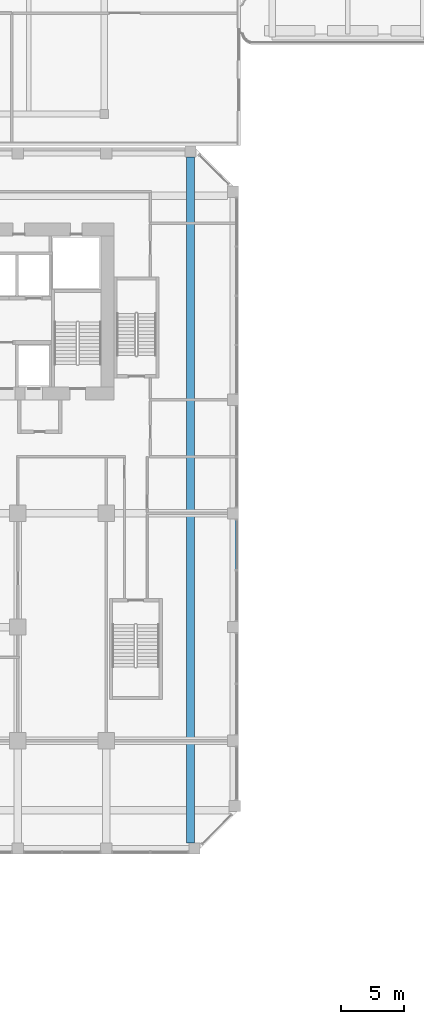
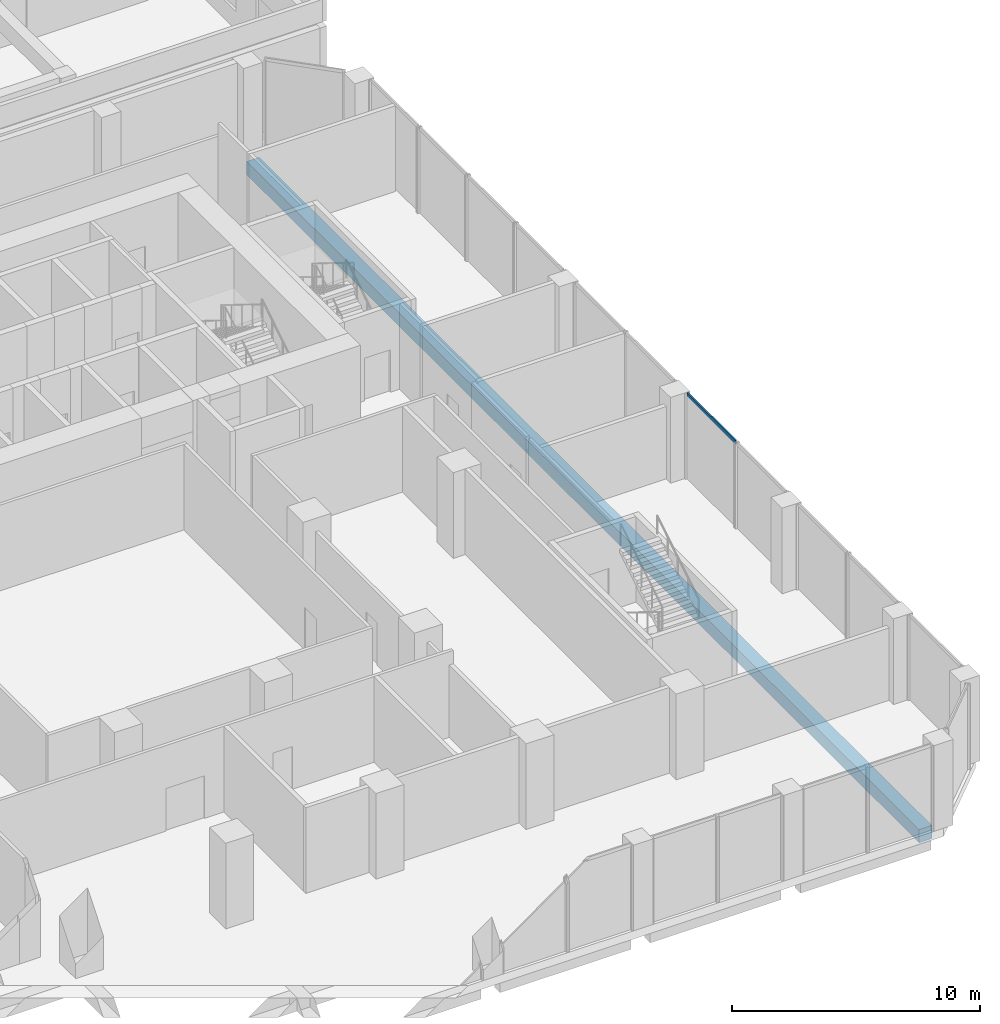
# One storey, part 6 of 35: 1 beam, 1 member, 1 element without a shape of its own.
"""IFC4 building model written with IfcOpenShell, lengths in metres."""

import ifcopenshell
import ifcopenshell.guid

model = None  # the IFC model being written
_history = None  # IfcOwnerHistory: only IFC2X3 demands one
_inside = {}  # id of a spatial element -> (the spatial element, [elements in it])
_under = {}  # id of a project, library or spatial element -> (it, [spatial elements below it])
_declared = {}  # id of a project -> (the project, [libraries it declares])
_typed = {}  # id of a type object -> (the type object, [elements of that type])
_made_of = {}  # id of a material, layer set ... -> (it, [elements and type objects made of it])


def new_model(schema):
    """Start an empty IFC model of exactly this schema.

    Asked for "IFC4X3", IfcOpenShell would pick the latest addendum, in which some entities
    have other attributes; the version numbers below select the first issue.
    IFC2X3 requires an IfcOwnerHistory on every rooted entity: one is made here for all.
    """
    global model, _history
    if schema == "IFC4X3":
        model = ifcopenshell.file(schema_version=(4, 3, 0, 0))
    else:
        model = ifcopenshell.file(schema=schema)
    _inside.clear()
    _under.clear()
    _declared.clear()
    _typed.clear()
    _made_of.clear()
    _history = None
    if model.schema == "IFC2X3":
        org = make("IfcOrganization", Name="unknown")
        user = make(
            "IfcPersonAndOrganization",
            ThePerson=make("IfcPerson", FamilyName="unknown"),
            TheOrganization=org,
        )
        app = make(
            "IfcApplication",
            ApplicationDeveloper=org,
            Version="unknown",
            ApplicationFullName="unknown",
            ApplicationIdentifier="unknown",
        )
        _history = make(
            "IfcOwnerHistory",
            OwningUser=user,
            OwningApplication=app,
            ChangeAction="ADDED",
            CreationDate=0,
        )
    return model


def make(cls, **values):
    """One entity of the class cls with the attributes given. An attribute that is None is left unset."""
    return model.create_entity(
        cls, **{name: value for name, value in values.items() if value is not None}
    )


def rooted(cls, **values):
    """An entity with a GlobalId (a new one), such as an element, a storey or a relation."""
    return make(cls, GlobalId=ifcopenshell.guid.new(), OwnerHistory=_history, **values)


def si_unit(unit_type, name, prefix=None):
    """IfcSIUnit, for example si_unit("LENGTHUNIT", "METRE", prefix="MILLI")."""
    return make("IfcSIUnit", UnitType=unit_type, Prefix=prefix, Name=name)


def assignment(units):
    """IfcUnitAssignment: the units of a project."""
    return None if units is None else make("IfcUnitAssignment", Units=units)


def point(xyz):
    """IfcCartesianPoint."""
    return None if xyz is None else make("IfcCartesianPoint", Coordinates=xyz)


def direction(xyz):
    """IfcDirection."""
    return None if xyz is None else make("IfcDirection", DirectionRatios=xyz)


def frame(location, z_axis=None, x_axis=None):
    """IfcAxis2Placement3D, a coordinate frame: its origin and axes. An axis left out is left unset."""
    return make(
        "IfcAxis2Placement3D",
        Location=point(location),
        Axis=direction(z_axis),
        RefDirection=direction(x_axis),
    )


def frame_2d(location, x_axis=None):
    """IfcAxis2Placement2D, a coordinate frame in the plane: its origin and x axis."""
    return make(
        "IfcAxis2Placement2D", Location=point(location), RefDirection=direction(x_axis)
    )


def origin():
    """The frame at (0, 0, 0) with its axes left unset."""
    return frame((0.0, 0.0, 0.0))


def origin_2d():
    """The frame at (0, 0) in the plane with its x axis left unset."""
    return frame_2d((0.0, 0.0))


def place(relative_to, where):
    """IfcLocalPlacement: puts the frame where relative to a parent placement (None: the world)."""
    return make(
        "IfcLocalPlacement", PlacementRelTo=relative_to, RelativePlacement=where
    )


def context(
    kind, dimensions, precision=None, world=None, true_north=None, identifier=None
):
    """IfcGeometricRepresentationContext, for example the 3D "Model" context."""
    return make(
        "IfcGeometricRepresentationContext",
        ContextIdentifier=identifier,
        ContextType=kind,
        CoordinateSpaceDimension=dimensions,
        Precision=precision,
        WorldCoordinateSystem=world,
        TrueNorth=true_north,
    )


def subcontext(parent, identifier, kind, view, scale=None):
    """IfcGeometricRepresentationSubContext, for example "Body" below "Model"."""
    return make(
        "IfcGeometricRepresentationSubContext",
        ContextIdentifier=identifier,
        ContextType=kind,
        ParentContext=parent,
        TargetScale=scale,
        TargetView=view,
    )


def project(units=None, contexts=None):
    """IfcProject with its units and contexts."""
    return rooted(
        "IfcProject",
        Name="project",
        RepresentationContexts=contexts,
        UnitsInContext=assignment(units),
    )


def spatial(cls, under=None, at=None, **own):
    """A site, building, storey or space (cls), placed at a placement, below another one or the project."""
    s = rooted(cls, ObjectPlacement=at, **own)
    if under is not None:
        _under.setdefault(under.id(), (under, []))[1].append(s)
    return s


def profile(cls, at=None, kind="AREA", **sizes):
    """A parametric profile (cls). Its sizes go by their IFC names, for example OverallWidth=200.0."""
    return make(cls, ProfileType=kind, Position=at, **sizes)


def rectangle(**sizes):
    """IfcRectangleProfileDef."""
    return profile("IfcRectangleProfileDef", **sizes)


def extrude(swept, where, along, depth):
    """IfcExtrudedAreaSolid: the profile swept, set in the frame where, extruded along a direction by depth."""
    return make(
        "IfcExtrudedAreaSolid",
        SweptArea=swept,
        Position=where,
        ExtrudedDirection=direction(along),
        Depth=depth,
    )


def shape(context_of_items, identifier, shape_type, items):
    """IfcShapeRepresentation: the items that make up one representation, for example the "Body"."""
    return make(
        "IfcShapeRepresentation",
        ContextOfItems=context_of_items,
        RepresentationIdentifier=identifier,
        RepresentationType=shape_type,
        Items=items,
    )


def source(mapping_origin, context_of_items, identifier, shape_type, items):
    """IfcRepresentationMap: a shape defined once, which mapped items show again and again."""
    return make(
        "IfcRepresentationMap",
        MappingOrigin=mapping_origin,
        MappedRepresentation=shape(context_of_items, identifier, shape_type, items),
    )


def transform(
    local_origin,
    x_axis=None,
    y_axis=None,
    z_axis=None,
    scale=None,
    scale2=None,
    scale3=None,
    uniform=True,
):
    """IfcCartesianTransformationOperator3D, or its non-uniform kind. x_axis, y_axis, z_axis: its Axis1, 2, 3."""
    if uniform:
        return make(
            "IfcCartesianTransformationOperator3D",
            Axis1=direction(x_axis),
            Axis2=direction(y_axis),
            LocalOrigin=point(local_origin),
            Scale=scale,
            Axis3=direction(z_axis),
        )
    return make(
        "IfcCartesianTransformationOperator3DnonUniform",
        Axis1=direction(x_axis),
        Axis2=direction(y_axis),
        LocalOrigin=point(local_origin),
        Scale=scale,
        Axis3=direction(z_axis),
        Scale2=scale2,
        Scale3=scale3,
    )


def mapped(mapping_source, mapping_target):
    """IfcMappedItem: shows the shape of a source again, moved by a transform."""
    return make(
        "IfcMappedItem", MappingSource=mapping_source, MappingTarget=mapping_target
    )


def material(Name=None, Category=None):
    """IfcMaterial."""
    return make("IfcMaterial", Name=Name, Category=Category)


def material_profile(
    of_material, cross_section, Name=None, Category=None, Priority=None
):
    """IfcMaterialProfile: a cross section and its material."""
    return make(
        "IfcMaterialProfile",
        Name=Name,
        Material=of_material,
        Profile=cross_section,
        Priority=Priority,
        Category=Category,
    )


def profile_set(profiles, Name=None, composite=None):
    """IfcMaterialProfileSet."""
    return make(
        "IfcMaterialProfileSet",
        Name=Name,
        MaterialProfiles=profiles,
        CompositeProfile=composite,
    )


def made_of(thing, what):
    """Note that an element or type object is made of a material, layer set ...; save() writes the relation."""
    if what is not None:
        _made_of.setdefault(what.id(), (what, []))[1].append(thing)
    return thing


def type_object(cls, material=None, **own):
    """A type object (cls), such as IfcWallType, which elements share."""
    return made_of(rooted(cls, **own), material)


def element(
    cls,
    number,
    at=None,
    inside=None,
    cuts=None,
    type_object=None,
    material=None,
    context=None,
    identifier="Body",
    shape_type=None,
    held_by="IfcProductDefinitionShape",
    body=None,
    shapes=None,
    **own,
):
    """One element of the class cls, such as IfcWall. Its Tag is "e" and its number.

    at: its placement. inside: the storey or other place that contains it. cuts: it is an
    opening in that element (IfcRelVoidsElement). A single representation is given by context,
    identifier, shape_type and body (its items); several are given by shapes. held_by: the class
    of the entity that holds the representations. save() writes the other relations.
    """
    e = rooted(cls, Tag="e%d" % number, ObjectPlacement=at, **own)
    if body is not None:
        shapes = [shape(context, identifier, shape_type, body)]
    if shapes is not None:
        e.Representation = make(held_by, Representations=shapes)
    if inside is not None:
        _inside.setdefault(inside.id(), (inside, []))[1].append(e)
    if cuts is not None:
        rooted(
            "IfcRelVoidsElement", RelatingBuildingElement=cuts, RelatedOpeningElement=e
        )
    if type_object is not None:
        _typed.setdefault(type_object.id(), (type_object, []))[1].append(e)
    return made_of(e, material)


def aggregate(whole, parts):
    """IfcRelAggregates: a whole, such as a stair, and the parts it consists of."""
    return rooted("IfcRelAggregates", RelatingObject=whole, RelatedObjects=parts)


def save(model, path):
    """Write the relations noted so far, then the file.

    IfcRelAggregates (storeys below a building ...), IfcRelContainedInSpatialStructure (elements
    in a storey), IfcRelDefinesByType, IfcRelAssociatesMaterial and IfcRelDeclares: one each for
    every whole, place, type object, material and project.
    """
    for whole, parts in _under.values():
        aggregate(whole, parts)
    for where, things in _inside.values():
        rooted(
            "IfcRelContainedInSpatialStructure",
            RelatedElements=things,
            RelatingStructure=where,
        )
    for kind, things in _typed.values():
        rooted("IfcRelDefinesByType", RelatedObjects=things, RelatingType=kind)
    for what, things in _made_of.values():
        rooted("IfcRelAssociatesMaterial", RelatedObjects=things, RelatingMaterial=what)
    for by, libraries in _declared.values():
        rooted("IfcRelDeclares", RelatingContext=by, RelatedDefinitions=libraries)
    model.write(path)


model = new_model("IFC4")

# Units and contexts
model_context = context("Model", 3, precision=1e-05, world=origin(), true_north=direction((0.0, 1.0)))
body_context = subcontext(model_context, "Body", "Model", "MODEL_VIEW")
ifc_project = project(units=[si_unit("LENGTHUNIT", "METRE"), si_unit("AREAUNIT", "SQUARE_METRE"), si_unit("VOLUMEUNIT", "CUBIC_METRE"), si_unit("PLANEANGLEUNIT", "RADIAN"), si_unit("MASSUNIT", "GRAM", prefix="KILO")], contexts=[model_context])

# Site, building, storey
site_placement = place(None, origin())
site = spatial("IfcSite", under=ifc_project, at=site_placement, CompositionType="ELEMENT")
building_placement = place(site_placement, origin())
building = spatial("IfcBuilding", under=site, at=building_placement, Name="Kilnfold Tower and Market Hall", CompositionType="ELEMENT")
storey_placement = place(building_placement, frame((0.0, 0.0, 22.5)))
storey = spatial("IfcBuildingStorey", under=building, at=storey_placement, Name="L04", CompositionType="ELEMENT", Elevation=22.5)

# Beam
ifc_material_1 = material(Name="Concrete C45", Category="concrete")
ifc_material_profile_1 = material_profile(ifc_material_1, rectangle(XDim=0.60009765625, YDim=0.64990234375, at=origin_2d()), Name="RC 600x650")
ifc_profile_set_1 = profile_set([ifc_material_profile_1], Name="Concrete C45")
beam_type = type_object("IfcBeamType", Name="BEAM 600X650 C45", PredefinedType="BEAM", material=ifc_profile_set_1)
shared_shape_1 = source(origin(), body_context, "Body", "SweptSolid", [
    extrude(rectangle(XDim=0.60009765625, YDim=0.64990234375, at=origin_2d()), origin(), (0.0, 0.0, 1.0), 54.331787109375),
])
beam_placement = place(storey_placement, frame((24.179931640625, -27.10009765625, -0.72509765625), z_axis=(0.0, 1.0, 0.0), x_axis=(-1.0, 0.0, 0.0)))
element("IfcBeam", 1, at=beam_placement, inside=storey, type_object=beam_type, Name="Beam BB650-B1.57", PredefinedType="BEAM", context=body_context, shape_type="MappedRepresentation", body=[
    mapped(shared_shape_1, transform((0.0, 0.0, 0.0))),
])

# Curtain wall, member
ifc_material_2 = material(Name="Aluminium and double glazing", Category="aluminium")
curtain_wall_type = type_object("IfcCurtainWallType", Name="CW BASE PODIUM GLAZING", PredefinedType="NOTDEFINED", material=ifc_material_2)
curtain_wall_placement = place(storey_placement, origin())
curtain_wall = element("IfcCurtainWall", 2, at=curtain_wall_placement, inside=storey, type_object=curtain_wall_type, Name="Curtain wall CW4 L04 E", PredefinedType="NOTDEFINED")
ifc_material_3 = material(Name="Aluminium", Category="aluminium")
ifc_material_profile_2 = material_profile(ifc_material_3, rectangle(XDim=0.070068359375, YDim=0.159912109375, at=origin_2d()), Name="TRANSOM 70x160")
ifc_profile_set_2 = profile_set([ifc_material_profile_2], Name="Aluminium")
member_type = type_object("IfcMemberType", Name="TRANSOM 70X160", PredefinedType="USERDEFINED", material=ifc_profile_set_2)
shared_shape_2 = source(origin(), body_context, "Body", "SweptSolid", [
    extrude(rectangle(XDim=0.070068359375, YDim=0.159912109375, at=origin_2d()), origin(), (0.0, 0.0, 1.0), 3.909912109375),
])
member_placement = place(storey_placement, frame((27.85009765625, -5.429931640625, 4.18505859375), z_axis=(0.0, 1.0, 0.0), x_axis=(-1.0, 0.0, 0.0)))
member = element("IfcMember", 3, at=member_placement, type_object=member_type, Name="CW4 transom 1.2", ObjectType="TRANSOM", PredefinedType="USERDEFINED", context=body_context, shape_type="MappedRepresentation", body=[
    mapped(shared_shape_2, transform((0.0, 0.0, 0.0))),
])
aggregate(curtain_wall, [member])

save(model, "model.ifc")
